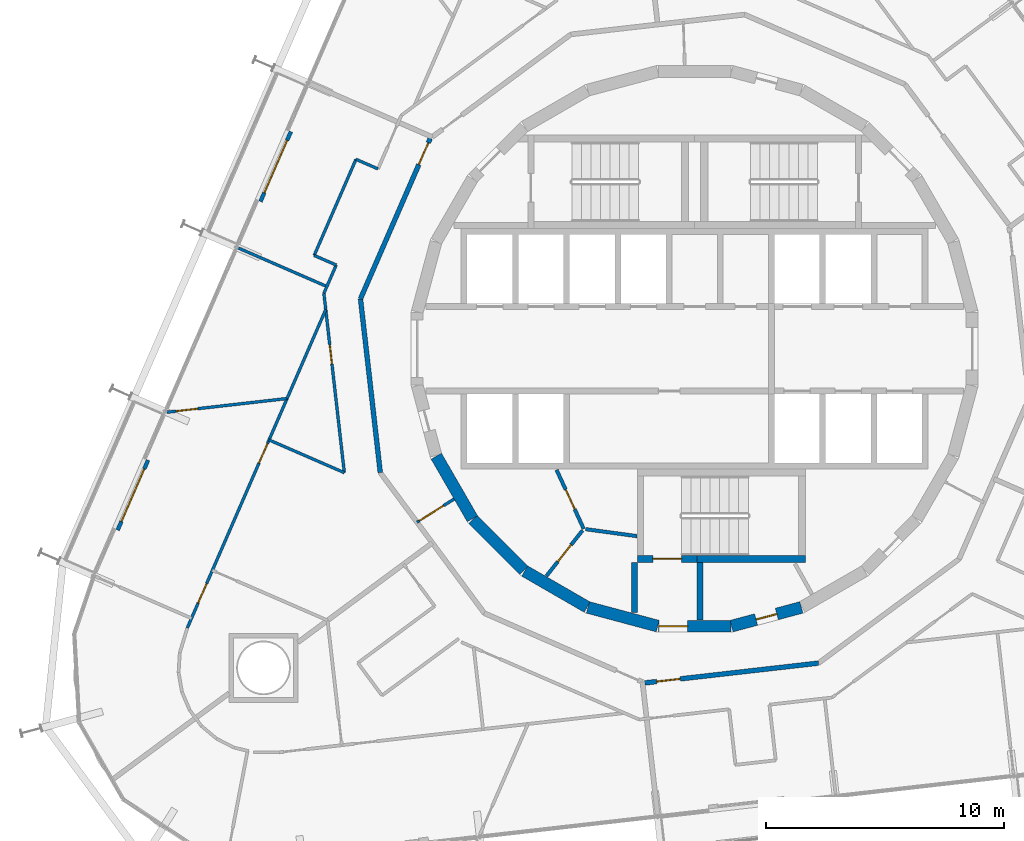
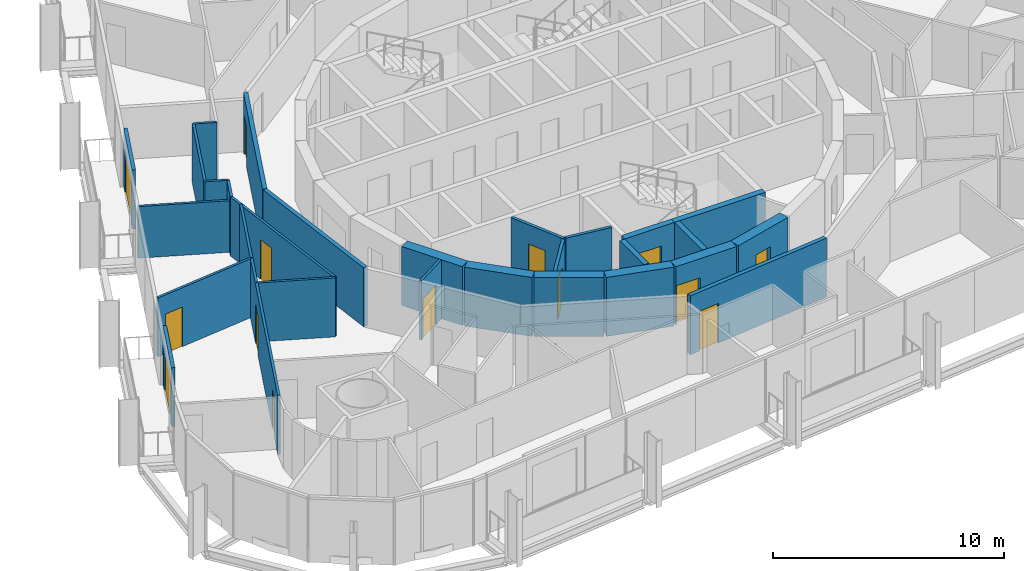
# One storey, part 17 of 24: 29 walls, 14 doors, 14 openings.
"""IFC4 building model written with IfcOpenShell, lengths in metres."""

from ifc_helpers import new_model, si_unit, direction, frame, frame_2d, origin, place, context, subcontext, project, spatial, rectangle, extrude, material, layer, layer_set, type_object, element, fill, save


model = new_model("IFC4")

# Units and contexts
model_context = context("Model", 3, precision=1e-05, world=origin(), true_north=direction((0.0, 1.0)))
body_context = subcontext(model_context, "Body", "Model", "MODEL_VIEW")
ifc_project = project(units=[si_unit("LENGTHUNIT", "METRE"), si_unit("AREAUNIT", "SQUARE_METRE"), si_unit("VOLUMEUNIT", "CUBIC_METRE"), si_unit("PLANEANGLEUNIT", "RADIAN"), si_unit("MASSUNIT", "GRAM", prefix="KILO")], contexts=[model_context])

# Site, building, storey
site_placement = place(None, origin())
site = spatial("IfcSite", under=ifc_project, at=site_placement, CompositionType="ELEMENT")
building_placement = place(site_placement, origin())
building = spatial("IfcBuilding", under=site, at=building_placement, Name="Spindle Arch Residences", CompositionType="ELEMENT")
storey_placement = place(building_placement, frame((0.0, 0.0, 94.199951171875)))
storey = spatial("IfcBuildingStorey", under=building, at=storey_placement, Name="L22", CompositionType="ELEMENT", Elevation=94.199951171875)

# Wall, opening, door
ifc_material_1 = material(Name="Concrete C50/60", Category="concrete")
ifc_layer_1 = layer(ifc_material_1, 0.5)
ifc_layer_set_1 = layer_set([ifc_layer_1], Name="Core outline wall 500")
wall_type_1 = type_object("IfcWallType", Name="Core outline wall 500", PredefinedType="SHEAR", material=ifc_layer_set_1)
wall_1_placement = place(storey_placement, frame((1.5498046875, -11.642822265625, 0.0), z_axis=(0.0, 0.0, 1.0), x_axis=(0.965948410781, 0.258734743916, 0.0)))
wall_1 = element("IfcWall", 1, at=wall_1_placement, inside=storey, type_object=wall_type_1, Name="Core outline wall 1", PredefinedType="SHEAR", context=body_context, shape_type="SweptSolid", body=[
    extrude(rectangle(XDim=3.03271484375, YDim=0.5, at=frame_2d((1.516357421875, 0.0))), origin(), (0.0, 0.0, 1.0), 3.1201171875),
])
opening_1_placement = place(wall_1_placement, frame((1.06640625, 0.0, 0.0)))
opening_1 = element("IfcOpeningElement", 2, at=opening_1_placement, cuts=wall_1, Name="Opening R2B1-WD08", PredefinedType="OPENING", context=body_context, shape_type="SweptSolid", body=[
    extrude(rectangle(XDim=0.89990234375, YDim=2.10009765625, at=frame_2d((0.449951171875, 1.050048828125))), frame((0.0, 0.260009765625, 0.0), z_axis=(0.0, -1.0, 0.0), x_axis=(1.0, 0.0, 0.0)), (0.0, 0.0, 1.0), 0.52001953125),
])
ifc_material_2 = material(Name="Steel, fire-resisting door", Category="steel")
door_type_1 = type_object("IfcDoorType", Name="Service room door 900x2100", OperationType="SINGLE_SWING_LEFT", PredefinedType="DOOR", material=ifc_material_2)
door_1_placement = place(opening_1_placement, origin())
door_1 = element("IfcDoor", 3, at=door_1_placement, inside=storey, type_object=door_type_1, Name="Service room door R2B1-WD08", OperationType="SINGLE_SWING_LEFT", OverallHeight=2.10009765625, OverallWidth=0.89990234375, PredefinedType="DOOR", context=body_context, shape_type="SweptSolid", body=[
    extrude(rectangle(XDim=0.89990234375, YDim=2.10009765625, at=frame_2d((0.449951171875, 1.050048828125))), frame((0.0, 0.02490234375, 0.0), z_axis=(0.0, -1.0, 0.0), x_axis=(1.0, 0.0, 0.0)), (0.0, 0.0, 1.0), 0.050048828125),
])
fill(opening_1, door_1)

# Walls
wall_2_placement = place(storey_placement, frame((-10.84521484375, -4.510498046875, 0.0), z_axis=(0.0, 0.0, 1.0), x_axis=(0.500087131594, -0.865975092491, 0.0)))
element("IfcWall", 4, at=wall_2_placement, inside=storey, type_object=wall_type_1, Name="Core outline wall 20", PredefinedType="SHEAR", context=body_context, shape_type="SweptSolid", body=[
    extrude(rectangle(XDim=3.03271484375, YDim=0.5, at=frame_2d((1.516357421875, 0.0))), origin(), (0.0, 0.0, 1.0), 3.1201171875),
])
wall_3_placement = place(storey_placement, frame((-9.30810546875, -7.163818359375, 0.0), z_axis=(0.0, 0.0, 1.0), x_axis=(0.707106781187, -0.707106781187, 0.0)))
element("IfcWall", 5, at=wall_3_placement, inside=storey, type_object=wall_type_1, Name="Core outline wall 21", PredefinedType="SHEAR", context=body_context, shape_type="SweptSolid", body=[
    extrude(rectangle(XDim=3.032470703125, YDim=0.5, at=frame_2d((1.51611328125, 0.0))), origin(), (0.0, 0.0, 1.0), 3.1201171875),
])
for number, where, z_axis, x_axis, name in (
    (6, (-7.13671875, -9.32861328125, 0.0), (0.0, 0.0, 1.0), (0.865975092491, -0.500087131594, 0.0), "Core outline wall 22"),
    (7, (-4.479248046875, -10.858154296875, 0.0), (0.0, 0.0, 1.0), (0.965948410781, -0.258734743916, 0.0), "Core outline wall 23"),
):
    element("IfcWall", number, at=place(storey_placement, frame(where, z_axis=z_axis, x_axis=x_axis)), inside=storey, type_object=wall_type_1, Name=name, PredefinedType="SHEAR", context=body_context, shape_type="SweptSolid", body=[
        extrude(rectangle(XDim=3.03271484375, YDim=0.5, at=frame_2d((1.516357421875, 0.0))), origin(), (0.0, 0.0, 1.0), 3.1201171875),
    ])

# Wall, opening, door
wall_4_placement = place(storey_placement, frame((-1.516357421875, -11.647216796875, 0.0), z_axis=(0.0, 0.0, 1.0), x_axis=(1.0, 0.0, 0.0)))
wall_4 = element("IfcWall", 8, at=wall_4_placement, inside=storey, type_object=wall_type_1, Name="Core outline wall 24", PredefinedType="SHEAR", context=body_context, shape_type="SweptSolid", body=[
    extrude(rectangle(XDim=3.03271484375, YDim=0.5, at=frame_2d((1.516357421875, 0.0))), origin(), (0.0, 0.0, 1.0), 3.1201171875),
])
opening_2_placement = place(wall_4_placement, frame((0.016357421875, 0.0, 0.0)))
opening_2 = element("IfcOpeningElement", 9, at=opening_2_placement, cuts=wall_4, Name="Opening R2B1-AD03", PredefinedType="OPENING", context=body_context, shape_type="SweptSolid", body=[
    extrude(rectangle(XDim=1.199951171875, YDim=2.10009765625, at=frame_2d((0.60009765625, 1.050048828125))), frame((0.0, 0.260009765625, 0.0), z_axis=(0.0, -1.0, 0.0), x_axis=(1.0, 0.0, 0.0)), (0.0, 0.0, 1.0), 0.52001953125),
])
ifc_material_3 = material(Name="Steel, fire-resisting door", Category="steel")
door_type_2 = type_object("IfcDoorType", Name="Stair airlock door 1200x2100", OperationType="SINGLE_SWING_LEFT", PredefinedType="DOOR", material=ifc_material_3)
door_2_placement = place(opening_2_placement, origin())
door_2 = element("IfcDoor", 10, at=door_2_placement, inside=storey, type_object=door_type_2, Name="Stair airlock door R2B1-AD03", OperationType="SINGLE_SWING_RIGHT", OverallHeight=2.10009765625, OverallWidth=1.199951171875, PredefinedType="DOOR", context=body_context, shape_type="SweptSolid", body=[
    extrude(rectangle(XDim=1.199951171875, YDim=2.10009765625, at=frame_2d((0.60009765625, 1.050048828125))), frame((0.0, 0.02490234375, 0.0), z_axis=(0.0, -1.0, 0.0), x_axis=(1.0, 0.0, 0.0)), (0.0, 0.0, 1.0), 0.050048828125),
])
fill(opening_2, door_2)

ifc_material_4 = material(Name="Plasterboard on steel studs", Category="steel")
ifc_layer_2 = layer(ifc_material_4, 0.1201171875)
ifc_layer_set_2 = layer_set([ifc_layer_2], Name="Corridor division wall 120")
wall_type_2 = type_object("IfcWallType", Name="Corridor division wall 120", PredefinedType="PARTITIONING", material=ifc_layer_set_2)
wall_5_placement = place(storey_placement, frame((-11.654296875, -7.2822265625, 0.0), z_axis=(0.0, 0.0, 1.0), x_axis=(0.848117698675, 0.529807860638, 0.0)))
wall_5 = element("IfcWall", 11, at=wall_5_placement, inside=storey, type_object=wall_type_2, Name="Corridor division wall R2B1-W003", PredefinedType="PARTITIONING", context=body_context, shape_type="SweptSolid", body=[
    extrude(rectangle(XDim=1.837646484375, YDim=0.1201171875, at=frame_2d((0.9189453125, 0.0))), origin(), (0.0, 0.0, 1.0), 3.1201171875),
])
opening_3_placement = place(wall_5_placement, frame((0.114990234375, 0.0, 0.0)))
opening_3 = element("IfcOpeningElement", 12, at=opening_3_placement, cuts=wall_5, Name="Opening R2B1-CD03", PredefinedType="OPENING", context=body_context, shape_type="SweptSolid", body=[
    extrude(rectangle(XDim=1.199951171875, YDim=2.10009765625, at=frame_2d((0.60009765625, 1.050048828125))), frame((0.0, 0.070068359375, 0.0), z_axis=(0.0, -1.0, 0.0), x_axis=(1.0, 0.0, 0.0)), (0.0, 0.0, 1.0), 0.14013671875),
])
ifc_material_5 = material(Name="Steel, fire-resisting door", Category="steel")
door_type_3 = type_object("IfcDoorType", Name="Corridor division door 1200x2100", OperationType="NOTDEFINED", PredefinedType="DOOR", material=ifc_material_5)
door_3_placement = place(opening_3_placement, origin())
door_3 = element("IfcDoor", 13, at=door_3_placement, inside=storey, type_object=door_type_3, Name="Corridor division door R2B1-CD03", OperationType="DOUBLE_DOOR_SINGLE_SWING", OverallHeight=2.10009765625, OverallWidth=1.199951171875, PredefinedType="DOOR", context=body_context, shape_type="SweptSolid", body=[
    extrude(rectangle(XDim=1.199951171875, YDim=2.10009765625, at=frame_2d((0.60009765625, 1.050048828125))), frame((0.0, 0.02490234375, 0.0), z_axis=(0.0, -1.0, 0.0), x_axis=(1.0, 0.0, 0.0)), (0.0, 0.0, 1.0), 0.050048828125),
])
fill(opening_3, door_3)

ifc_material_6 = material(Name="Calcium silicate block, plastered")
ifc_layer_3 = layer(ifc_material_6, 0.199951171875)
ifc_layer_set_3 = layer_set([ifc_layer_3], Name="Corridor wall 200")
wall_type_3 = type_object("IfcWallType", Name="Corridor wall 200", PredefinedType="STANDARD", material=ifc_layer_set_3)
wall_6_placement = place(storey_placement, frame((-11.10009765625, 8.829345703125, 0.0), z_axis=(0.0, 0.0, 1.0), x_axis=(-0.398741918631, -0.917063183388, 0.0)))
wall_6 = element("IfcWall", 14, at=wall_6_placement, inside=storey, type_object=wall_type_3, Name="Corridor wall R2B1-W010", PredefinedType="STANDARD", context=body_context, shape_type="SweptSolid", body=[
    extrude(rectangle(XDim=7.341796875, YDim=0.199951171875, at=frame_2d((3.6708984375, 0.0))), origin(), (0.0, 0.0, 1.0), 3.1201171875),
])
opening_4_placement = place(wall_6_placement, frame((0.199951171875, 0.0, 0.0)))
opening_4 = element("IfcOpeningElement", 15, at=opening_4_placement, cuts=wall_6, Name="Opening R2B1-FD03", PredefinedType="OPENING", context=body_context, shape_type="SweptSolid", body=[
    extrude(rectangle(XDim=1.0, YDim=2.10009765625, at=frame_2d((0.5, 1.050048828125))), frame((0.0, 0.10986328125, 0.0), z_axis=(0.0, -1.0, 0.0), x_axis=(1.0, 0.0, 0.0)), (0.0, 0.0, 1.0), 0.219970703125),
])
ifc_material_7 = material(Name="Timber, fire-resisting door set", Category="wood")
door_type_4 = type_object("IfcDoorType", Name="Flat entrance door 1000x2100", OperationType="NOTDEFINED", PredefinedType="DOOR", material=ifc_material_7)
door_4_placement = place(opening_4_placement, origin())
door_4 = element("IfcDoor", 16, at=door_4_placement, inside=storey, type_object=door_type_4, Name="Flat entrance door R2B1-FD03", OperationType="SINGLE_SWING_LEFT", OverallHeight=2.10009765625, OverallWidth=1.0, PredefinedType="DOOR", context=body_context, shape_type="SweptSolid", body=[
    extrude(rectangle(XDim=1.0, YDim=2.10009765625, at=frame_2d((0.5, 1.050048828125))), frame((0.0, 0.02490234375, 0.0), z_axis=(0.0, -1.0, 0.0), x_axis=(1.0, 0.0, 0.0)), (0.0, 0.0, 1.0), 0.050048828125),
])
fill(opening_4, door_4)

# Wall
wall_7_placement = place(storey_placement, frame((-14.027587890625, 2.096435546875, 0.0), z_axis=(0.0, 0.0, 1.0), x_axis=(0.113226782163, -0.993569170114, 0.0)))
element("IfcWall", 17, at=wall_7_placement, inside=storey, type_object=wall_type_3, Name="Corridor wall R2B1-W011", PredefinedType="STANDARD", context=body_context, shape_type="SweptSolid", body=[
    extrude(rectangle(XDim=7.341796875, YDim=0.199951171875, at=frame_2d((3.6708984375, 0.0))), origin(), (0.0, 0.0, 1.0), 3.1201171875),
])

# Wall, opening, door
wall_8_placement = place(storey_placement, frame((-2.096435546875, -14.027587890625, 0.0), z_axis=(0.0, 0.0, 1.0), x_axis=(0.993569170114, 0.113226782163, 0.0)))
wall_8 = element("IfcWall", 18, at=wall_8_placement, inside=storey, type_object=wall_type_3, Name="Corridor wall R2B1-W014", PredefinedType="STANDARD", context=body_context, shape_type="SweptSolid", body=[
    extrude(rectangle(XDim=7.341796875, YDim=0.199951171875, at=frame_2d((3.6708984375, 0.0))), origin(), (0.0, 0.0, 1.0), 3.1201171875),
])
opening_5_placement = place(wall_8_placement, frame((0.5, 0.0, 0.0)))
opening_5 = element("IfcOpeningElement", 19, at=opening_5_placement, cuts=wall_8, Name="Opening R2B1-FD05", PredefinedType="OPENING", context=body_context, shape_type="SweptSolid", body=[
    extrude(rectangle(XDim=1.0, YDim=2.10009765625, at=frame_2d((0.5, 1.050048828125))), frame((0.0, 0.10986328125, 0.0), z_axis=(0.0, -1.0, 0.0), x_axis=(1.0, 0.0, 0.0)), (0.0, 0.0, 1.0), 0.219970703125),
])
door_5_placement = place(opening_5_placement, origin())
door_5 = element("IfcDoor", 20, at=door_5_placement, inside=storey, type_object=door_type_4, Name="Flat entrance door R2B1-FD05", OperationType="SINGLE_SWING_LEFT", OverallHeight=2.10009765625, OverallWidth=1.0, PredefinedType="DOOR", context=body_context, shape_type="SweptSolid", body=[
    extrude(rectangle(XDim=1.0, YDim=2.10009765625, at=frame_2d((0.5, 1.050048828125))), frame((0.0, 0.02490234375, 0.0), z_axis=(0.0, -1.0, 0.0), x_axis=(1.0, 0.0, 0.0)), (0.0, 0.0, 1.0), 0.050048828125),
])
fill(opening_5, door_5)

# Walls
ifc_material_8 = material(Name="Plasterboard on steel studs", Category="steel")
ifc_layer_4 = layer(ifc_material_8, 0.1201171875)
ifc_layer_set_4 = layer_set([ifc_layer_4], Name="Flat partition 120")
wall_type_4 = type_object("IfcWallType", Name="Flat partition 120", PredefinedType="PARTITIONING", material=ifc_layer_set_4)
wall_9_placement = place(storey_placement, frame((-13.291748046875, 7.550048828125, 0.0), z_axis=(0.0, 0.0, 1.0), x_axis=(-0.917016180017, 0.398850003871, 0.0)))
element("IfcWall", 21, at=wall_9_placement, inside=storey, type_object=wall_type_4, Name="Flat partition R2B1-W061", PredefinedType="PARTITIONING", context=body_context, shape_type="SweptSolid", body=[
    extrude(rectangle(XDim=1.0087890625, YDim=0.1201171875, at=frame_2d((0.50439453125, 0.0))), origin(), (0.0, 0.0, 1.0), 3.1201171875),
])
wall_10_placement = place(storey_placement, frame((-14.216796875, 7.952392578125, 0.0), z_axis=(0.0, 0.0, 1.0), x_axis=(-0.398722053614, -0.917071820503, 0.0)))
element("IfcWall", 22, at=wall_10_placement, inside=storey, type_object=wall_type_4, Name="Flat partition R2B1-W062", PredefinedType="PARTITIONING", context=body_context, shape_type="SweptSolid", body=[
    extrude(rectangle(XDim=4.400146484375, YDim=0.1201171875, at=frame_2d((2.2001953125, 0.0))), origin(), (0.0, 0.0, 1.0), 3.1201171875),
])
wall_11_placement = place(storey_placement, frame((-15.97119140625, 3.917236328125, 0.0), z_axis=(0.0, 0.0, 1.0), x_axis=(0.916977666233, -0.39893854117, 0.0)))
element("IfcWall", 23, at=wall_11_placement, inside=storey, type_object=wall_type_4, Name="Flat partition R2B1-W063", PredefinedType="PARTITIONING", context=body_context, shape_type="SweptSolid", body=[
    extrude(rectangle(XDim=1.008544921875, YDim=0.1201171875, at=frame_2d((0.50439453125, 0.0))), origin(), (0.0, 0.0, 1.0), 3.1201171875),
])
wall_12_placement = place(storey_placement, frame((-15.04638671875, 3.514892578125, 0.0), z_axis=(0.0, 0.0, 1.0), x_axis=(-0.398664137006, -0.917096999158, 0.0)))
element("IfcWall", 24, at=wall_12_placement, inside=storey, type_object=wall_type_4, Name="Flat partition R2B1-W064", PredefinedType="PARTITIONING", context=body_context, shape_type="SweptSolid", body=[
    extrude(rectangle(XDim=1.29638671875, YDim=0.1201171875, at=frame_2d((0.648193359375, 0.0))), origin(), (0.0, 0.0, 1.0), 3.1201171875),
])

# Wall, opening, door
wall_13_placement = place(storey_placement, frame((-15.563232421875, 2.325927734375, 0.0), z_axis=(0.0, 0.0, 1.0), x_axis=(0.113175769889, -0.993574982128, 0.0)))
wall_13 = element("IfcWall", 25, at=wall_13_placement, inside=storey, type_object=wall_type_4, Name="Flat partition R2B1-W065", PredefinedType="PARTITIONING", context=body_context, shape_type="SweptSolid", body=[
    extrude(rectangle(XDim=7.575927734375, YDim=0.1201171875, at=frame_2d((3.7880859375, 0.0))), origin(), (0.0, 0.0, 1.0), 3.1201171875),
])
opening_6_placement = place(wall_13_placement, frame((2.18505859375, 0.0, 0.0)))
opening_6 = element("IfcOpeningElement", 26, at=opening_6_placement, cuts=wall_13, Name="Opening R2B1-BD03", PredefinedType="OPENING", context=body_context, shape_type="SweptSolid", body=[
    extrude(rectangle(XDim=0.800048828125, YDim=2.10009765625, at=frame_2d((0.39990234375, 1.050048828125))), frame((0.0, 0.070068359375, 0.0), z_axis=(0.0, -1.0, 0.0), x_axis=(1.0, 0.0, 0.0)), (0.0, 0.0, 1.0), 0.14013671875),
])
ifc_material_9 = material(Name="Timber door set", Category="wood")
door_type_5 = type_object("IfcDoorType", Name="Bathroom door 800x2100", OperationType="NOTDEFINED", PredefinedType="DOOR", material=ifc_material_9)
door_6_placement = place(opening_6_placement, origin())
door_6 = element("IfcDoor", 27, at=door_6_placement, inside=storey, type_object=door_type_5, Name="Bathroom door R2B1-BD03", OperationType="SINGLE_SWING_RIGHT", OverallHeight=2.10009765625, OverallWidth=0.800048828125, PredefinedType="DOOR", context=body_context, shape_type="SweptSolid", body=[
    extrude(rectangle(XDim=0.800048828125, YDim=2.10009765625, at=frame_2d((0.39990234375, 1.050048828125))), frame((0.0, 0.02490234375, 0.0), z_axis=(0.0, -1.0, 0.0), x_axis=(1.0, 0.0, 0.0)), (0.0, 0.0, 1.0), 0.050048828125),
])
fill(opening_6, door_6)

# Wall
wall_14_placement = place(storey_placement, frame((-14.705810546875, -5.201416015625, 0.0), z_axis=(0.0, 0.0, 1.0), x_axis=(-0.917043017742, 0.398788294224, 0.0)))
element("IfcWall", 28, at=wall_14_placement, inside=storey, type_object=wall_type_4, Name="Flat partition R2B1-W066", PredefinedType="PARTITIONING", context=body_context, shape_type="SweptSolid", body=[
    extrude(rectangle(XDim=3.445556640625, YDim=0.1201171875, at=frame_2d((1.72265625, 0.0))), origin(), (0.0, 0.0, 1.0), 3.1201171875),
])

# Wall, openings, doors
wall_15_placement = place(storey_placement, frame((-17.109375, -2.088623046875, 0.0), z_axis=(0.0, 0.0, 1.0), x_axis=(-0.398743957683, -0.9170622968, 0.0)))
wall_15 = element("IfcWall", 29, at=wall_15_placement, inside=storey, type_object=wall_type_4, Name="Flat partition R2B1-W067", PredefinedType="PARTITIONING", context=body_context, shape_type="SweptSolid", body=[
    extrude(rectangle(XDim=10.5048828125, YDim=0.1201171875, at=frame_2d((5.25244140625, 0.0))), origin(), (0.0, 0.0, 1.0), 3.1201171875),
])
opening_7_placement = place(wall_15_placement, frame((2.055908203125, 0.0, 0.0)))
opening_7 = element("IfcOpeningElement", 30, at=opening_7_placement, cuts=wall_15, Name="Opening R2B1-ID14", PredefinedType="OPENING", context=body_context, shape_type="SweptSolid", body=[
    extrude(rectangle(XDim=0.89990234375, YDim=2.10009765625, at=frame_2d((0.449951171875, 1.050048828125))), frame((0.0, 0.070068359375, 0.0), z_axis=(0.0, -1.0, 0.0), x_axis=(1.0, 0.0, 0.0)), (0.0, 0.0, 1.0), 0.14013671875),
])
opening_8_placement = place(wall_15_placement, frame((8.4638671875, 0.0, 0.0)))
opening_8 = element("IfcOpeningElement", 31, at=opening_8_placement, cuts=wall_15, Name="Opening R2B1-ID18", PredefinedType="OPENING", context=body_context, shape_type="SweptSolid", body=[
    extrude(rectangle(XDim=0.89990234375, YDim=2.10009765625, at=frame_2d((0.449951171875, 1.050048828125))), frame((0.0, 0.070068359375, 0.0), z_axis=(0.0, -1.0, 0.0), x_axis=(1.0, 0.0, 0.0)), (0.0, 0.0, 1.0), 0.14013671875),
])
ifc_material_10 = material(Name="Timber door set", Category="wood")
door_type_6 = type_object("IfcDoorType", Name="Room door 900x2100", OperationType="NOTDEFINED", PredefinedType="DOOR", material=ifc_material_10)
door_7_placement = place(opening_7_placement, origin())
door_7 = element("IfcDoor", 32, at=door_7_placement, inside=storey, type_object=door_type_6, Name="Room door R2B1-ID14", OperationType="SINGLE_SWING_RIGHT", OverallHeight=2.10009765625, OverallWidth=0.89990234375, PredefinedType="DOOR", context=body_context, shape_type="SweptSolid", body=[
    extrude(rectangle(XDim=0.89990234375, YDim=2.10009765625, at=frame_2d((0.449951171875, 1.050048828125))), frame((0.0, 0.02490234375, 0.0), z_axis=(0.0, -1.0, 0.0), x_axis=(1.0, 0.0, 0.0)), (0.0, 0.0, 1.0), 0.050048828125),
])
fill(opening_7, door_7)
door_8_placement = place(opening_8_placement, origin())
door_8 = element("IfcDoor", 33, at=door_8_placement, inside=storey, type_object=door_type_6, Name="Room door R2B1-ID18", OperationType="SINGLE_SWING_LEFT", OverallHeight=2.10009765625, OverallWidth=0.89990234375, PredefinedType="DOOR", context=body_context, shape_type="SweptSolid", body=[
    extrude(rectangle(XDim=0.89990234375, YDim=2.10009765625, at=frame_2d((0.449951171875, 1.050048828125))), frame((0.0, 0.02490234375, 0.0), z_axis=(0.0, -1.0, 0.0), x_axis=(1.0, 0.0, 0.0)), (0.0, 0.0, 1.0), 0.050048828125),
])
fill(opening_8, door_8)

# Wall
wall_16_placement = place(storey_placement, frame((-17.109375, -2.088623046875, 0.0), z_axis=(0.0, 0.0, 1.0), x_axis=(0.398726111414, 0.917070056253, 0.0)))
element("IfcWall", 34, at=wall_16_placement, inside=storey, type_object=wall_type_4, Name="Flat partition R2B1-W070", PredefinedType="PARTITIONING", context=body_context, shape_type="SweptSolid", body=[
    extrude(rectangle(XDim=4.07177734375, YDim=0.1201171875, at=frame_2d((2.035888671875, 0.0))), origin(), (0.0, 0.0, 1.0), 3.1201171875),
])

# Wall, opening, door
wall_17_placement = place(storey_placement, frame((-22.157470703125, -2.663818359375, 0.0), z_axis=(0.0, 0.0, 1.0), x_axis=(0.993571026426, 0.113210491767, 0.0)))
wall_17 = element("IfcWall", 35, at=wall_17_placement, inside=storey, type_object=wall_type_4, Name="Flat partition R2B1-W071", PredefinedType="PARTITIONING", context=body_context, shape_type="SweptSolid", body=[
    extrude(rectangle(XDim=5.080810546875, YDim=0.1201171875, at=frame_2d((2.54052734375, 0.0))), origin(), (0.0, 0.0, 1.0), 3.1201171875),
])
opening_9_placement = place(wall_17_placement, frame((0.39990234375, 0.0, 0.0)))
opening_9 = element("IfcOpeningElement", 36, at=opening_9_placement, cuts=wall_17, Name="Opening R2B1-ID16", PredefinedType="OPENING", context=body_context, shape_type="SweptSolid", body=[
    extrude(rectangle(XDim=0.89990234375, YDim=2.10009765625, at=frame_2d((0.449951171875, 1.050048828125))), frame((0.0, 0.070068359375, 0.0), z_axis=(0.0, -1.0, 0.0), x_axis=(1.0, 0.0, 0.0)), (0.0, 0.0, 1.0), 0.14013671875),
])
door_9_placement = place(opening_9_placement, origin())
door_9 = element("IfcDoor", 37, at=door_9_placement, inside=storey, type_object=door_type_6, Name="Room door R2B1-ID16", OperationType="SINGLE_SWING_LEFT", OverallHeight=2.10009765625, OverallWidth=0.89990234375, PredefinedType="DOOR", context=body_context, shape_type="SweptSolid", body=[
    extrude(rectangle(XDim=0.89990234375, YDim=2.10009765625, at=frame_2d((0.449951171875, 1.050048828125))), frame((0.0, 0.02490234375, 0.0), z_axis=(0.0, -1.0, 0.0), x_axis=(1.0, 0.0, 0.0)), (0.0, 0.0, 1.0), 0.050048828125),
])
fill(opening_9, door_9)

# Wall
ifc_material_11 = material(Name="Plasterboard on steel studs", Category="steel")
ifc_layer_5 = layer(ifc_material_11, 0.1201171875)
ifc_layer_set_5 = layer_set([ifc_layer_5], Name="Flat partition 120 under beam 2730")
wall_type_5 = type_object("IfcWallType", Name="Flat partition 120 under beam 2730", PredefinedType="PARTITIONING", material=ifc_layer_set_5)
wall_18_placement = place(storey_placement, frame((-19.1591796875, 4.231201171875, 0.0), z_axis=(0.0, 0.0, 1.0), x_axis=(0.91704996524, -0.398772317562, 0.0)))
element("IfcWall", 38, at=wall_18_placement, inside=storey, type_object=wall_type_5, Name="Flat partition R2B1-W069", PredefinedType="PARTITIONING", context=body_context, shape_type="SweptSolid", body=[
    extrude(rectangle(XDim=4.057373046875, YDim=0.1201171875, at=frame_2d((2.02880859375, 0.0))), origin(), (0.0, 0.0, 1.0), 2.72998046875),
])

# Wall, opening, door
ifc_material_12 = material(Name="Non-combustible mineral wool insulated aluminium faced external wall (K0)", Category="aluminium")
ifc_layer_6 = layer(ifc_material_12, 0.159912109375)
ifc_layer_set_6 = layer_set([ifc_layer_6], Name="Insulated external wall panel 160")
wall_type_6 = type_object("IfcWallType", Name="Insulated external wall panel 160", PredefinedType="STANDARD", material=ifc_layer_set_6)
wall_19_placement = place(storey_placement, frame((-16.948974609375, 9.1142578125, 0.0), z_axis=(0.0, 0.0, 1.0), x_axis=(-0.398720531764, -0.917072482168, 0.0)))
wall_19 = element("IfcWall", 39, at=wall_19_placement, inside=storey, type_object=wall_type_6, Name="External wall L22 bay 16", PredefinedType="STANDARD", context=body_context, shape_type="SweptSolid", body=[
    extrude(rectangle(XDim=3.199951171875, YDim=0.159912109375, at=frame_2d((1.60009765625, 0.0))), origin(), (0.0, 0.0, 1.0), 3.1201171875),
])
opening_10_placement = place(wall_19_placement, frame((0.39990234375, 0.0, 0.0)))
opening_10 = element("IfcOpeningElement", 40, at=opening_10_placement, cuts=wall_19, Name="Opening BD16", PredefinedType="OPENING", context=body_context, shape_type="SweptSolid", body=[
    extrude(rectangle(XDim=2.39990234375, YDim=2.39990234375, at=frame_2d((1.199951171875, 1.199951171875))), frame((0.0, 0.08984375, 0.0), z_axis=(0.0, -1.0, 0.0), x_axis=(1.0, 0.0, 0.0)), (0.0, 0.0, 1.0), 0.179931640625),
])
ifc_material_13 = material(Name="Bronze aluminium frame, tinted double glazing", Category="aluminium")
door_type_7 = type_object("IfcDoorType", Name="Sliding glazed balcony door 2400x2400", OperationType="DOUBLE_DOOR_SLIDING", PredefinedType="DOOR", material=ifc_material_13)
door_10_placement = place(opening_10_placement, origin())
door_10 = element("IfcDoor", 41, at=door_10_placement, inside=storey, type_object=door_type_7, Name="Balcony door BD16", OperationType="DOUBLE_DOOR_SLIDING", OverallHeight=2.39990234375, OverallWidth=2.39990234375, PredefinedType="DOOR", context=body_context, shape_type="SweptSolid", body=[
    extrude(rectangle(XDim=2.39990234375, YDim=2.39990234375, at=frame_2d((1.199951171875, 1.199951171875))), frame((0.0, 0.02490234375, 0.0), z_axis=(0.0, -1.0, 0.0), x_axis=(1.0, 0.0, 0.0)), (0.0, 0.0, 1.0), 0.050048828125),
])
fill(opening_10, door_10)

wall_20_placement = place(storey_placement, frame((-22.945068359375, -4.676025390625, 0.0), z_axis=(0.0, 0.0, 1.0), x_axis=(-0.398784695066, -0.917044582876, 0.0)))
wall_20 = element("IfcWall", 42, at=wall_20_placement, inside=storey, type_object=wall_type_6, Name="External wall L22 bay 18", PredefinedType="STANDARD", context=body_context, shape_type="SweptSolid", body=[
    extrude(rectangle(XDim=3.199951171875, YDim=0.159912109375, at=frame_2d((1.60009765625, 0.0))), origin(), (0.0, 0.0, 1.0), 3.1201171875),
])
opening_11_placement = place(wall_20_placement, frame((0.39990234375, 0.0, 0.0)))
opening_11 = element("IfcOpeningElement", 43, at=opening_11_placement, cuts=wall_20, Name="Opening BD18", PredefinedType="OPENING", context=body_context, shape_type="SweptSolid", body=[
    extrude(rectangle(XDim=2.39990234375, YDim=2.39990234375, at=frame_2d((1.199951171875, 1.199951171875))), frame((0.0, 0.08984375, 0.0), z_axis=(0.0, -1.0, 0.0), x_axis=(1.0, 0.0, 0.0)), (0.0, 0.0, 1.0), 0.179931640625),
])
door_11_placement = place(opening_11_placement, origin())
door_11 = element("IfcDoor", 44, at=door_11_placement, inside=storey, type_object=door_type_7, Name="Balcony door BD18", OperationType="DOUBLE_DOOR_SLIDING", OverallHeight=2.39990234375, OverallWidth=2.39990234375, PredefinedType="DOOR", context=body_context, shape_type="SweptSolid", body=[
    extrude(rectangle(XDim=2.39990234375, YDim=2.39990234375, at=frame_2d((1.199951171875, 1.199951171875))), frame((0.0, 0.02490234375, 0.0), z_axis=(0.0, -1.0, 0.0), x_axis=(1.0, 0.0, 0.0)), (0.0, 0.0, 1.0), 0.050048828125),
])
fill(opening_11, door_11)

ifc_material_14 = material(Name="Concrete C25/30", Category="concrete")
ifc_layer_7 = layer(ifc_material_14, 0.14990234375)
ifc_layer_set_7 = layer_set([ifc_layer_7], Name="Service room partition 150")
wall_type_7 = type_object("IfcWallType", Name="Service room partition 150", PredefinedType="PARTITIONING", material=ifc_layer_set_7)
wall_21_placement = place(storey_placement, frame((-5.794921875, -5.086181640625, 0.0), z_axis=(0.0, 0.0, 1.0), x_axis=(0.417887867606, -0.908498613157, 0.0)))
wall_21 = element("IfcWall", 45, at=wall_21_placement, inside=storey, type_object=wall_type_7, Name="Core service room partition", PredefinedType="PARTITIONING", context=body_context, shape_type="SweptSolid", body=[
    extrude(rectangle(XDim=2.72607421875, YDim=0.14990234375, at=frame_2d((1.363037109375, 0.0))), origin(), (0.0, 0.0, 1.0), 3.1201171875),
])
opening_12_placement = place(wall_21_placement, frame((0.912841796875, 0.0, 0.0)))
opening_12 = element("IfcOpeningElement", 46, at=opening_12_placement, cuts=wall_21, Name="Opening R2B1-WD05", PredefinedType="OPENING", context=body_context, shape_type="SweptSolid", body=[
    extrude(rectangle(XDim=0.89990234375, YDim=2.10009765625, at=frame_2d((0.449951171875, 1.050048828125))), frame((0.0, 0.0849609375, 0.0), z_axis=(0.0, -1.0, 0.0), x_axis=(1.0, 0.0, 0.0)), (0.0, 0.0, 1.0), 0.169921875),
])
door_12_placement = place(opening_12_placement, origin())
door_12 = element("IfcDoor", 47, at=door_12_placement, inside=storey, type_object=door_type_1, Name="Service room door R2B1-WD05", OperationType="SINGLE_SWING_RIGHT", OverallHeight=2.10009765625, OverallWidth=0.89990234375, PredefinedType="DOOR", context=body_context, shape_type="SweptSolid", body=[
    extrude(rectangle(XDim=0.89990234375, YDim=2.10009765625, at=frame_2d((0.449951171875, 1.050048828125))), frame((0.0, 0.02490234375, 0.0), z_axis=(0.0, -1.0, 0.0), x_axis=(1.0, 0.0, 0.0)), (0.0, 0.0, 1.0), 0.050048828125),
])
fill(opening_12, door_12)

wall_22_placement = place(storey_placement, frame((-4.70556640625, -7.62548828125, 0.0), z_axis=(0.0, 0.0, 1.0), x_axis=(-0.621392599334, -0.783499353856, 0.0)))
wall_22 = element("IfcWall", 48, at=wall_22_placement, inside=storey, type_object=wall_type_7, Name="Core service room partition", PredefinedType="PARTITIONING", context=body_context, shape_type="SweptSolid", body=[
    extrude(rectangle(XDim=2.447265625, YDim=0.14990234375, at=frame_2d((1.2236328125, 0.0))), origin(), (0.0, 0.0, 1.0), 3.1201171875),
])
opening_13_placement = place(wall_22_placement, frame((0.773681640625, 0.0, 0.0)))
opening_13 = element("IfcOpeningElement", 49, at=opening_13_placement, cuts=wall_22, Name="Opening R2B1-WD06", PredefinedType="OPENING", context=body_context, shape_type="SweptSolid", body=[
    extrude(rectangle(XDim=0.89990234375, YDim=2.10009765625, at=frame_2d((0.449951171875, 1.050048828125))), frame((0.0, 0.0849609375, 0.0), z_axis=(0.0, -1.0, 0.0), x_axis=(1.0, 0.0, 0.0)), (0.0, 0.0, 1.0), 0.169921875),
])
door_13_placement = place(opening_13_placement, origin())
door_13 = element("IfcDoor", 50, at=door_13_placement, inside=storey, type_object=door_type_1, Name="Service room door R2B1-WD06", OperationType="SINGLE_SWING_LEFT", OverallHeight=2.10009765625, OverallWidth=0.89990234375, PredefinedType="DOOR", context=body_context, shape_type="SweptSolid", body=[
    extrude(rectangle(XDim=0.89990234375, YDim=2.10009765625, at=frame_2d((0.449951171875, 1.050048828125))), frame((0.0, 0.02490234375, 0.0), z_axis=(0.0, -1.0, 0.0), x_axis=(1.0, 0.0, 0.0)), (0.0, 0.0, 1.0), 0.050048828125),
])
fill(opening_13, door_13)

# Walls
wall_23_placement = place(storey_placement, frame((-2.419921875, -7.865234375, 0.0), z_axis=(0.0, 0.0, 1.0), x_axis=(-0.990972299108, 0.134066783362, 0.0)))
element("IfcWall", 51, at=wall_23_placement, inside=storey, type_object=wall_type_7, Name="Core service room partition", PredefinedType="PARTITIONING", context=body_context, shape_type="SweptSolid", body=[
    extrude(rectangle(XDim=2.176025390625, YDim=0.14990234375, at=frame_2d((1.087890625, 0.0))), origin(), (0.0, 0.0, 1.0), 3.1201171875),
])
ifc_material_15 = material(Name="Concrete C40/50", Category="concrete")
ifc_layer_8 = layer(ifc_material_15, 0.25)
ifc_layer_set_8 = layer_set([ifc_layer_8], Name="Stair airlock wall 250")
wall_type_8 = type_object("IfcWallType", Name="Stair airlock wall 250", PredefinedType="SHEAR", material=ifc_layer_set_8)
wall_24_placement = place(storey_placement, frame((-2.52490234375, -8.969970703125, 0.0), z_axis=(0.0, 0.0, 1.0), x_axis=(0.0, -1.0, 0.0)))
element("IfcWall", 52, at=wall_24_placement, inside=storey, type_object=wall_type_8, Name="Stair ST-3 airlock wall W", PredefinedType="SHEAR", context=body_context, shape_type="SweptSolid", body=[
    extrude(rectangle(XDim=2.110107421875, YDim=0.25, at=frame_2d((1.05517578125, 0.0))), origin(), (0.0, 0.0, 1.0), 3.1201171875),
])
wall_25_placement = place(storey_placement, frame((0.22509765625, -8.969970703125, 0.0), z_axis=(0.0, 0.0, 1.0), x_axis=(0.0, -1.0, 0.0)))
element("IfcWall", 53, at=wall_25_placement, inside=storey, type_object=wall_type_8, Name="Stair ST-3 airlock wall E", PredefinedType="SHEAR", context=body_context, shape_type="SweptSolid", body=[
    extrude(rectangle(XDim=2.409912109375, YDim=0.25, at=frame_2d((1.205078125, 0.0))), origin(), (0.0, 0.0, 1.0), 3.1201171875),
])
ifc_material_16 = material(Name="Concrete C50/60", Category="concrete")
ifc_layer_9 = layer(ifc_material_16, 0.300048828125)
ifc_layer_set_9 = layer_set([ifc_layer_9], Name="Stair enclosure wall 300")
wall_type_9 = type_object("IfcWallType", Name="Stair enclosure wall 300", PredefinedType="SHEAR", material=ifc_layer_set_9)
wall_26_placement = place(storey_placement, frame((0.10009765625, -8.820068359375, 0.0), z_axis=(0.0, 0.0, 1.0), x_axis=(1.0, 0.0, 0.0)))
element("IfcWall", 54, at=wall_26_placement, inside=storey, type_object=wall_type_9, Name="Stair ST-3 enclosure wall S", PredefinedType="SHEAR", context=body_context, shape_type="SweptSolid", body=[
    extrude(rectangle(XDim=4.5498046875, YDim=0.300048828125, at=frame_2d((2.27490234375, 0.0))), origin(), (0.0, 0.0, 1.0), 3.1201171875),
])

# Wall, opening, door
wall_27_placement = place(storey_placement, frame((-2.39990234375, -8.820068359375, 0.0), z_axis=(0.0, 0.0, 1.0), x_axis=(1.0, 0.0, 0.0)))
wall_27 = element("IfcWall", 55, at=wall_27_placement, inside=storey, type_object=wall_type_9, Name="Stair ST-3 door wall", PredefinedType="SHEAR", context=body_context, shape_type="SweptSolid", body=[
    extrude(rectangle(XDim=2.5, YDim=0.300048828125, at=frame_2d((1.25, 0.0))), origin(), (0.0, 0.0, 1.0), 3.1201171875),
])
opening_14_placement = place(wall_27_placement, frame((0.64990234375, 0.0, 0.0)))
opening_14 = element("IfcOpeningElement", 56, at=opening_14_placement, cuts=wall_27, Name="Opening R2B1-SD03", PredefinedType="OPENING", context=body_context, shape_type="SweptSolid", body=[
    extrude(rectangle(XDim=1.199951171875, YDim=2.10009765625, at=frame_2d((0.60009765625, 1.050048828125))), frame((0.0, 0.16015625, 0.0), z_axis=(0.0, -1.0, 0.0), x_axis=(1.0, 0.0, 0.0)), (0.0, 0.0, 1.0), 0.320068359375),
])
ifc_material_17 = material(Name="Steel, fire-resisting door", Category="steel")
door_type_8 = type_object("IfcDoorType", Name="Stair door 1200x2100", OperationType="SINGLE_SWING_RIGHT", PredefinedType="DOOR", material=ifc_material_17)
door_14_placement = place(opening_14_placement, origin())
door_14 = element("IfcDoor", 57, at=door_14_placement, inside=storey, type_object=door_type_8, Name="Stair door R2B1-SD03", OperationType="SINGLE_SWING_LEFT", OverallHeight=2.10009765625, OverallWidth=1.199951171875, PredefinedType="DOOR", context=body_context, shape_type="SweptSolid", body=[
    extrude(rectangle(XDim=1.199951171875, YDim=2.10009765625, at=frame_2d((0.60009765625, 1.050048828125))), frame((0.0, 0.02490234375, 0.0), z_axis=(0.0, -1.0, 0.0), x_axis=(1.0, 0.0, 0.0)), (0.0, 0.0, 1.0), 0.050048828125),
])
fill(opening_14, door_14)

save(model, "model.ifc")
